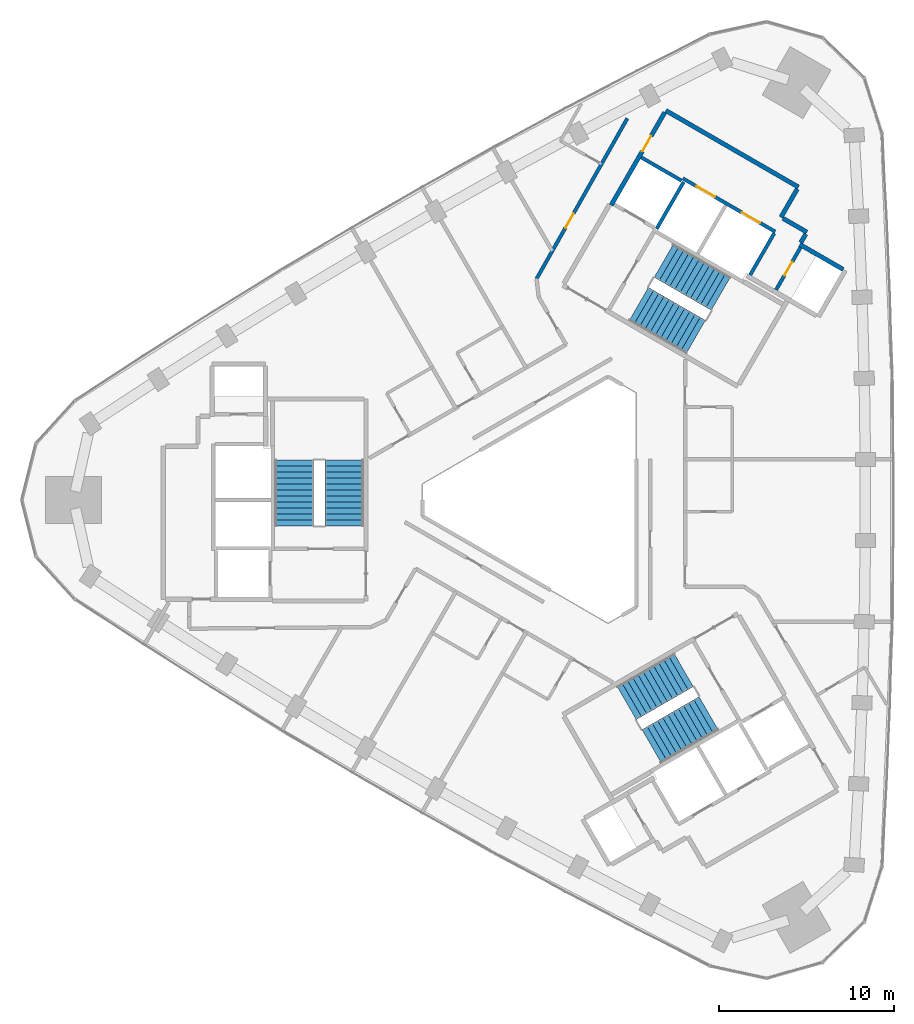
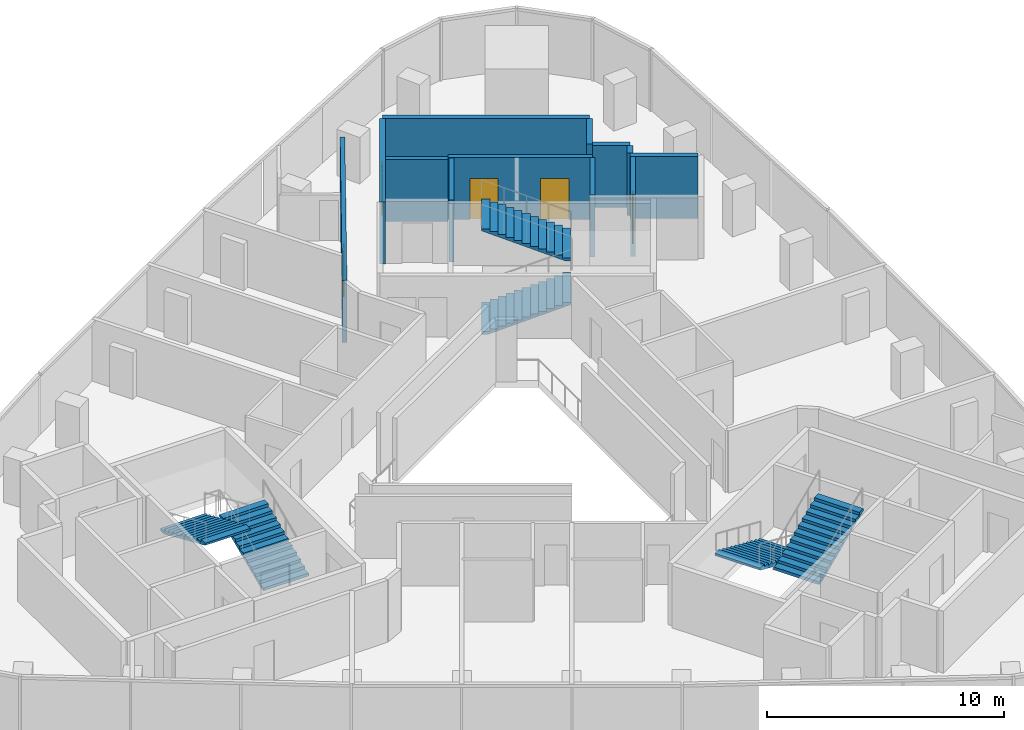
# One storey, part 10 of 11: 12 walls, 6 stair flights, 5 doors, 5 openings, 3 elements without a shape of their own.
"""IFC4 building model written with IfcOpenShell, lengths in metres."""

from ifc_helpers import new_model, si_unit, direction, frame, frame_2d, origin, place, context, subcontext, project, spatial, polyline, rectangle, outline, extrude, material, layer, layer_set, type_object, element, fill, aggregate, save


model = new_model("IFC4")

# Units and contexts
model_context = context("Model", 3, precision=1e-05, world=origin(), true_north=direction((0.0, 1.0)))
body_context = subcontext(model_context, "Body", "Model", "MODEL_VIEW")
ifc_project = project(units=[si_unit("LENGTHUNIT", "METRE"), si_unit("AREAUNIT", "SQUARE_METRE"), si_unit("VOLUMEUNIT", "CUBIC_METRE"), si_unit("PLANEANGLEUNIT", "RADIAN"), si_unit("MASSUNIT", "GRAM", prefix="KILO")], contexts=[model_context])

# Site, building, storey
site_placement = place(None, origin())
site = spatial("IfcSite", under=ifc_project, at=site_placement, CompositionType="ELEMENT")
building_placement = place(site_placement, origin())
building = spatial("IfcBuilding", under=site, at=building_placement, Name="Tamra Quay Hotel Tower", CompositionType="ELEMENT")
storey_placement = place(building_placement, frame((0.0, 0.0, 208.0)))
storey = spatial("IfcBuildingStorey", under=building, at=storey_placement, Name="L52", CompositionType="ELEMENT", Elevation=208.0)

# Wall, openings, doors
ifc_material_1 = material(Name="Concrete M70", Category="concrete")
ifc_layer_1 = layer(ifc_material_1, 0.199951171875)
ifc_layer_set_1 = layer_set([ifc_layer_1], Name="Concrete M70 core wall 200")
wall_type_1 = type_object("IfcWallType", Name="Concrete M70 core wall 200", PredefinedType="SHEAR", material=ifc_layer_set_1)
wall_1_placement = place(storey_placement, frame((12.552490234375, 15.341552734375, 0.0), z_axis=(0.0, 0.0, 1.0), x_axis=(-0.866030299012, 0.499991521122, 0.0)))
wall_1 = element("IfcWall", 1, at=wall_1_placement, inside=storey, type_object=wall_type_1, Name="CW2", PredefinedType="SHEAR", context=body_context, shape_type="SweptSolid", body=[
    extrude(rectangle(XDim=6.10009765625, YDim=0.199951171875, at=frame_2d((3.050048828125, 0.0))), origin(), (0.0, 0.0, 1.0), 3.199951171875),
])
opening_1_placement = place(wall_1_placement, frame((1.0, 0.0, 0.0)))
opening_1 = element("IfcOpeningElement", 2, at=opening_1_placement, cuts=wall_1, Name="Opening LD", PredefinedType="OPENING", context=body_context, shape_type="SweptSolid", body=[
    extrude(rectangle(XDim=1.199951171875, YDim=2.10009765625, at=frame_2d((0.60009765625, 1.050048828125))), frame((0.0, 0.10986328125, 0.0), z_axis=(0.0, -1.0, 0.0), x_axis=(1.0, 0.0, 0.0)), (0.0, 0.0, 1.0), 0.219970703125),
])
opening_2_placement = place(wall_1_placement, frame((3.982177734375, 0.0, 0.0)))
opening_2 = element("IfcOpeningElement", 3, at=opening_2_placement, cuts=wall_1, Name="Opening LD", PredefinedType="OPENING", context=body_context, shape_type="SweptSolid", body=[
    extrude(rectangle(XDim=1.199951171875, YDim=2.10009765625, at=frame_2d((0.60009765625, 1.050048828125))), frame((0.0, 0.10986328125, 0.0), z_axis=(0.0, -1.0, 0.0), x_axis=(1.0, 0.0, 0.0)), (0.0, 0.0, 1.0), 0.219970703125),
])
ifc_material_2 = material(Name="Landing door LD 1200 double door sliding")
door_type_1 = type_object("IfcDoorType", Name="Landing door LD 1200 double door sliding", OperationType="DOUBLE_DOOR_SLIDING", PredefinedType="DOOR", material=ifc_material_2)
door_1_placement = place(opening_1_placement, origin())
door_1 = element("IfcDoor", 4, at=door_1_placement, inside=storey, type_object=door_type_1, Name="LD", OperationType="DOUBLE_DOOR_SLIDING", OverallHeight=2.10009765625, OverallWidth=1.199951171875, PredefinedType="DOOR", context=body_context, shape_type="SweptSolid", body=[
    extrude(rectangle(XDim=1.199951171875, YDim=2.10009765625, at=frame_2d((0.60009765625, 1.050048828125))), frame((0.0, 0.02490234375, 0.0), z_axis=(0.0, -1.0, 0.0), x_axis=(1.0, 0.0, 0.0)), (0.0, 0.0, 1.0), 0.050048828125),
])
fill(opening_1, door_1)
door_2_placement = place(opening_2_placement, origin())
door_2 = element("IfcDoor", 5, at=door_2_placement, inside=storey, type_object=door_type_1, Name="LD", OperationType="DOUBLE_DOOR_SLIDING", OverallHeight=2.10009765625, OverallWidth=1.199951171875, PredefinedType="DOOR", context=body_context, shape_type="SweptSolid", body=[
    extrude(rectangle(XDim=1.199951171875, YDim=2.10009765625, at=frame_2d((0.60009765625, 1.050048828125))), frame((0.0, 0.02490234375, 0.0), z_axis=(0.0, -1.0, 0.0), x_axis=(1.0, 0.0, 0.0)), (0.0, 0.0, 1.0), 0.050048828125),
])
fill(opening_2, door_2)

# Wall, opening, door
wall_2_placement = place(storey_placement, frame((14.0078125, 14.442138671875, 0.0), z_axis=(0.0, 0.0, 1.0), x_axis=(-0.499986818241, -0.866033014143, 0.0)))
wall_2 = element("IfcWall", 6, at=wall_2_placement, inside=storey, type_object=wall_type_1, Name="CW2", PredefinedType="SHEAR", context=body_context, shape_type="SweptSolid", body=[
    extrude(rectangle(XDim=2.7978515625, YDim=0.199951171875, at=frame_2d((1.39892578125, 0.0))), origin(), (0.0, 0.0, 1.0), 3.199951171875),
])
opening_3_placement = place(wall_2_placement, frame((0.948974609375, 0.0, 0.0)))
opening_3 = element("IfcOpeningElement", 7, at=opening_3_placement, cuts=wall_2, Name="Opening D1", PredefinedType="OPENING", context=body_context, shape_type="SweptSolid", body=[
    extrude(rectangle(XDim=0.89990234375, YDim=2.10009765625, at=frame_2d((0.449951171875, 1.050048828125))), frame((0.0, 0.10986328125, 0.0), z_axis=(0.0, -1.0, 0.0), x_axis=(1.0, 0.0, 0.0)), (0.0, 0.0, 1.0), 0.219970703125),
])
ifc_material_3 = material(Name="Core door D1 900x2100 LH")
door_type_2 = type_object("IfcDoorType", Name="Core door D1 900x2100 LH", OperationType="NOTDEFINED", PredefinedType="DOOR", material=ifc_material_3)
door_3_placement = place(opening_3_placement, origin())
door_3 = element("IfcDoor", 8, at=door_3_placement, inside=storey, type_object=door_type_2, Name="D1", OperationType="SINGLE_SWING_LEFT", OverallHeight=2.10009765625, OverallWidth=0.89990234375, PredefinedType="DOOR", context=body_context, shape_type="SweptSolid", body=[
    extrude(rectangle(XDim=0.89990234375, YDim=2.10009765625, at=frame_2d((0.449951171875, 1.050048828125))), frame((0.0, 0.02490234375, 0.0), z_axis=(0.0, -1.0, 0.0), x_axis=(1.0, 0.0, 0.0)), (0.0, 0.0, 1.0), 0.050048828125),
])
fill(opening_3, door_3)

# Walls
wall_3_placement = place(storey_placement, frame((12.50244140625, 15.2548828125, 0.0), z_axis=(0.0, 0.0, 1.0), x_axis=(-0.499965018551, -0.866045599391, 0.0)))
element("IfcWall", 9, at=wall_3_placement, inside=storey, type_object=wall_type_1, Name="CW2", PredefinedType="SHEAR", context=body_context, shape_type="SweptSolid", body=[
    extrude(rectangle(XDim=2.759033203125, YDim=0.199951171875, at=frame_2d((1.37939453125, 0.0))), origin(), (0.0, 0.0, 1.0), 3.199951171875),
])
wall_4_placement = place(storey_placement, frame((7.324462890625, 18.1865234375, 0.0), z_axis=(0.0, 0.0, 1.0), x_axis=(-0.499967891604, -0.866043940782, 0.0)))
element("IfcWall", 10, at=wall_4_placement, inside=storey, type_object=wall_type_1, Name="CW2", PredefinedType="SHEAR", context=body_context, shape_type="SweptSolid", body=[
    extrude(rectangle(XDim=3.099853515625, YDim=0.199951171875, at=frame_2d((1.5498046875, 0.0))), origin(), (0.0, 0.0, 1.0), 3.199951171875),
])
wall_5_placement = place(storey_placement, frame((7.1962890625, 18.260498046875, 0.0), z_axis=(0.0, 0.0, 1.0), x_axis=(-0.866018407898, 0.500012117035, 0.0)))
element("IfcWall", 11, at=wall_5_placement, inside=storey, type_object=wall_type_1, Name="CW2", PredefinedType="SHEAR", context=body_context, shape_type="SweptSolid", body=[
    extrude(rectangle(XDim=2.65087890625, YDim=0.199951171875, at=frame_2d((1.325439453125, 0.0))), origin(), (0.0, 0.0, 1.0), 3.199951171875),
])
ifc_layer_2 = layer(ifc_material_1, 0.25)
ifc_layer_set_2 = layer_set([ifc_layer_2], Name="Concrete M70 core wall 250")
wall_type_2 = type_object("IfcWallType", Name="Concrete M70 core wall 250", PredefinedType="SHEAR", material=ifc_layer_set_2)
wall_6_placement = place(storey_placement, frame((6.303955078125, 22.268798828125, 0.0), z_axis=(0.0, 0.0, 1.0), x_axis=(0.866022959057, -0.500004234368, 0.0)))
element("IfcWall", 12, at=wall_6_placement, inside=storey, type_object=wall_type_2, Name="CW1", PredefinedType="SHEAR", context=body_context, shape_type="SweptSolid", body=[
    extrude(rectangle(XDim=8.75, YDim=0.25, at=frame_2d((4.375, 0.0))), origin(), (0.0, 0.0, 1.0), 3.199951171875),
])

# Wall, opening, door
wall_7_placement = place(storey_placement, frame((3.178955078125, 16.856201171875, 0.0), z_axis=(0.0, 0.0, 1.0), x_axis=(0.500001955336, 0.866024274868, 0.0)))
wall_7 = element("IfcWall", 13, at=wall_7_placement, inside=storey, type_object=wall_type_2, Name="CW1", PredefinedType="SHEAR", context=body_context, shape_type="SweptSolid", body=[
    extrude(rectangle(XDim=6.12451171875, YDim=0.25, at=frame_2d((3.062255859375, 0.0))), origin(), (0.0, 0.0, 1.0), 3.199951171875),
])
opening_4_placement = place(wall_7_placement, frame((3.562744140625, 0.0, 0.0)))
opening_4 = element("IfcOpeningElement", 14, at=opening_4_placement, cuts=wall_7, Name="Opening FD3", PredefinedType="OPENING", context=body_context, shape_type="SweptSolid", body=[
    extrude(rectangle(XDim=1.0, YDim=2.10009765625, at=frame_2d((0.5, 1.050048828125))), frame((0.0, 0.135009765625, 0.0), z_axis=(0.0, -1.0, 0.0), x_axis=(1.0, 0.0, 0.0)), (0.0, 0.0, 1.0), 0.27001953125),
])
ifc_material_4 = material(Name="Core door FD3 1000x2100 LH")
door_type_3 = type_object("IfcDoorType", Name="Core door FD3 1000x2100 LH", OperationType="NOTDEFINED", PredefinedType="DOOR", material=ifc_material_4)
door_4_placement = place(opening_4_placement, origin())
door_4 = element("IfcDoor", 15, at=door_4_placement, inside=storey, type_object=door_type_3, Name="FD3", OperationType="SINGLE_SWING_LEFT", OverallHeight=2.10009765625, OverallWidth=1.0, PredefinedType="DOOR", context=body_context, shape_type="SweptSolid", body=[
    extrude(rectangle(XDim=1.0, YDim=2.10009765625, at=frame_2d((0.5, 1.050048828125))), frame((0.0, 0.02490234375, 0.0), z_axis=(0.0, -1.0, 0.0), x_axis=(1.0, 0.0, 0.0)), (0.0, 0.0, 1.0), 0.050048828125),
])
fill(opening_4, door_4)

# Walls
wall_8_placement = place(storey_placement, frame((13.962646484375, 14.61376953125, 0.0), z_axis=(0.0, 0.0, 1.0), x_axis=(0.866042235819, -0.499970844928, 0.0)))
element("IfcWall", 16, at=wall_8_placement, inside=storey, type_object=wall_type_2, Name="CW1", PredefinedType="SHEAR", context=body_context, shape_type="SweptSolid", body=[
    extrude(rectangle(XDim=2.864501953125, YDim=0.25, at=frame_2d((1.43212890625, 0.0))), origin(), (0.0, 0.0, 1.0), 3.199951171875),
])
wall_9_placement = place(storey_placement, frame((13.819091796875, 17.78515625, 0.0), z_axis=(0.0, 0.0, 1.0), x_axis=(-0.500039802285, -0.866002422705, 0.0)))
element("IfcWall", 17, at=wall_9_placement, inside=storey, type_object=wall_type_2, Name="CW1", PredefinedType="SHEAR", context=body_context, shape_type="SweptSolid", body=[
    extrude(rectangle(XDim=1.864501953125, YDim=0.25, at=frame_2d((0.93212890625, 0.0))), origin(), (0.0, 0.0, 1.0), 3.199951171875),
])
wall_10_placement = place(storey_placement, frame((12.995361328125, 16.107666015625, 0.0), z_axis=(0.0, 0.0, 1.0), x_axis=(0.866044474677, -0.49996696679, 0.0)))
element("IfcWall", 18, at=wall_10_placement, inside=storey, type_object=wall_type_2, Name="CW1", PredefinedType="SHEAR", context=body_context, shape_type="SweptSolid", body=[
    extrude(rectangle(XDim=1.58447265625, YDim=0.25, at=frame_2d((0.792236328125, 0.0))), origin(), (0.0, 0.0, 1.0), 3.199951171875),
])
wall_11_placement = place(storey_placement, frame((14.304931640625, 15.206787109375, 0.0), z_axis=(0.0, 0.0, 1.0), x_axis=(-0.499848422343, -0.866112899501, 0.0)))
element("IfcWall", 19, at=wall_11_placement, inside=storey, type_object=wall_type_2, Name="CW1", PredefinedType="SHEAR", context=body_context, shape_type="SweptSolid", body=[
    extrude(rectangle(XDim=0.559326171875, YDim=0.25, at=frame_2d((0.27978515625, 0.0))), origin(), (0.0, 0.0, 1.0), 3.199951171875),
])

# Wall, opening, door
ifc_material_5 = material(Name="Partition corridor wall")
ifc_layer_3 = layer(ifc_material_5, 0.199951171875)
ifc_layer_set_3 = layer_set([ifc_layer_3], Name="Partition corridor wall")
wall_type_3 = type_object("IfcWallType", Name="Partition corridor wall", PredefinedType="PARTITIONING", material=ifc_layer_set_3)
wall_12_placement = place(storey_placement, frame((-1.085693359375, 12.650390625, 0.0), z_axis=(0.0, 0.0, 1.0), x_axis=(0.492552173528, 0.87028291742, 0.0)))
wall_12 = element("IfcWall", 20, at=wall_12_placement, inside=storey, type_object=wall_type_3, Name="W-C", PredefinedType="PARTITIONING", context=body_context, shape_type="SweptSolid", body=[
    extrude(rectangle(XDim=10.531494140625, YDim=0.199951171875, at=frame_2d((5.265625, 0.0))), origin(), (0.0, 0.0, 1.0), 3.199951171875),
])
opening_5_placement = place(wall_12_placement, frame((3.341796875, 0.0, 0.0)))
opening_5 = element("IfcOpeningElement", 21, at=opening_5_placement, cuts=wall_12, Name="Opening L52-D001", PredefinedType="OPENING", context=body_context, shape_type="SweptSolid", body=[
    extrude(rectangle(XDim=0.949951171875, YDim=2.10009765625, at=frame_2d((0.47509765625, 1.050048828125))), frame((0.0, 0.10986328125, 0.0), z_axis=(0.0, -1.0, 0.0), x_axis=(1.0, 0.0, 0.0)), (0.0, 0.0, 1.0), 0.219970703125),
])
ifc_material_6 = material(Name="Door guest room 950x2100")
door_type_4 = type_object("IfcDoorType", Name="Door guest room 950x2100", OperationType="NOTDEFINED", PredefinedType="DOOR", material=ifc_material_6)
door_5_placement = place(opening_5_placement, origin())
door_5 = element("IfcDoor", 22, at=door_5_placement, inside=storey, type_object=door_type_4, Name="L52-D001", OperationType="SINGLE_SWING_LEFT", OverallHeight=2.10009765625, OverallWidth=0.949951171875, PredefinedType="DOOR", context=body_context, shape_type="SweptSolid", body=[
    extrude(rectangle(XDim=0.949951171875, YDim=2.10009765625, at=frame_2d((0.47509765625, 1.050048828125))), frame((0.0, 0.02490234375, 0.0), z_axis=(0.0, -1.0, 0.0), x_axis=(1.0, 0.0, 0.0)), (0.0, 0.0, 1.0), 0.050048828125),
])
fill(opening_5, door_5)

# Stair, stair flights
ifc_material_7 = material(Name="Exit stair 2200 24 risers 150.0 going 342")
stair_type = type_object("IfcStairType", Name="Exit stair 2200 24 risers 150.0 going 342", PredefinedType="HALF_TURN_STAIR", material=ifc_material_7)
stair_1_placement = place(storey_placement, origin())
stair_1 = element("IfcStair", 23, at=stair_1_placement, inside=storey, type_object=stair_type, Name="L52 Exit stair ST3", PredefinedType="HALF_TURN_STAIR")
ifc_material_8 = material(Name="Exit stair flight 2200 12 risers 150.0")
stair_flight_type = type_object("IfcStairFlightType", Name="Exit stair flight 2200 12 risers 150.0", PredefinedType="STRAIGHT", material=ifc_material_8)
stair_flight_1_placement = place(storey_placement, frame((-12.082275390625, -1.47998046875, 0.0), z_axis=(0.0, 0.0, 1.0), x_axis=(0.0, 1.0, 0.0)))
stair_flight_1 = element("IfcStairFlight", 24, at=stair_flight_1_placement, type_object=stair_flight_type, Name="ST3 flight 1", NumberOfRisers=12, NumberOfTreads=11, PredefinedType="STRAIGHT", RiserHeight=0.15, TreadLength=0.342, context=body_context, shape_type="SweptSolid", body=[
    extrude(outline(polyline([(0.0, 0.0), (0.0, 0.14990234375), (0.342041015625, 0.14990234375), (0.342041015625, 0.300048828125), (0.68408203125, 0.300048828125), (0.68408203125, 0.449951171875), (1.02587890625, 0.449951171875), (1.02587890625, 0.60009765625), (1.367919921875, 0.60009765625), (1.367919921875, 0.75), (1.7099609375, 0.75), (1.7099609375, 0.89990234375), (2.052001953125, 0.89990234375), (2.052001953125, 1.050048828125), (2.39404296875, 1.050048828125), (2.39404296875, 1.199951171875), (2.736083984375, 1.199951171875), (2.736083984375, 1.35009765625), (3.077880859375, 1.35009765625), (3.077880859375, 1.5), (3.419921875, 1.5), (3.419921875, 1.64990234375), (3.761962890625, 1.64990234375), (3.761962890625, 1.800048828125), (3.761962890625, 1.540771484375), (0.249267578125, 0.0), (0.0, 0.0)])), frame((0.0, 1.10009765625, 0.0), z_axis=(0.0, -1.0, 0.0), x_axis=(1.0, 0.0, 0.0)), (0.0, 0.0, 1.0), 2.199951171875),
])
stair_flight_2_placement = place(storey_placement, frame((-14.94140625, 2.281982421875, 1.800048828125), z_axis=(0.0, 0.0, 1.0), x_axis=(0.0, -1.0, 0.0)))
stair_flight_2 = element("IfcStairFlight", 25, at=stair_flight_2_placement, type_object=stair_flight_type, Name="ST3 flight 2", NumberOfRisers=12, NumberOfTreads=11, PredefinedType="STRAIGHT", RiserHeight=0.15, TreadLength=0.342, context=body_context, shape_type="SweptSolid", body=[
    extrude(outline(polyline([(0.0, 0.0), (0.0, 0.14990234375), (0.342041015625, 0.14990234375), (0.342041015625, 0.300048828125), (0.68408203125, 0.300048828125), (0.68408203125, 0.449951171875), (1.02587890625, 0.449951171875), (1.02587890625, 0.60009765625), (1.367919921875, 0.60009765625), (1.367919921875, 0.75), (1.7099609375, 0.75), (1.7099609375, 0.89990234375), (2.052001953125, 0.89990234375), (2.052001953125, 1.050048828125), (2.39404296875, 1.050048828125), (2.39404296875, 1.199951171875), (2.736083984375, 1.199951171875), (2.736083984375, 1.35009765625), (3.077880859375, 1.35009765625), (3.077880859375, 1.5), (3.419921875, 1.5), (3.419921875, 1.64990234375), (3.761962890625, 1.64990234375), (3.761962890625, 1.800048828125), (3.761962890625, 1.540771484375), (0.249267578125, 0.0), (0.0, 0.0)])), frame((0.0, 1.10009765625, 0.0), z_axis=(0.0, -1.0, 0.0), x_axis=(1.0, 0.0, 0.0)), (0.0, 0.0, 1.0), 2.199951171875),
])
aggregate(stair_1, [stair_flight_1, stair_flight_2])

stair_2_placement = place(storey_placement, origin())
stair_2 = element("IfcStair", 26, at=stair_2_placement, inside=storey, type_object=stair_type, Name="L52 Exit stair ST1", PredefinedType="HALF_TURN_STAIR")
stair_flight_3_placement = place(storey_placement, frame((4.75927734375, 11.20361328125, 0.0), z_axis=(0.0, 0.0, 1.0), x_axis=(0.866025403784, -0.5, 0.0)))
stair_flight_3 = element("IfcStairFlight", 27, at=stair_flight_3_placement, type_object=stair_flight_type, Name="ST1 flight 1", NumberOfRisers=12, NumberOfTreads=11, PredefinedType="STRAIGHT", RiserHeight=0.15, TreadLength=0.342, context=body_context, shape_type="SweptSolid", body=[
    extrude(outline(polyline([(0.0, 0.0), (0.0, 0.14990234375), (0.342041015625, 0.14990234375), (0.342041015625, 0.300048828125), (0.68408203125, 0.300048828125), (0.68408203125, 0.449951171875), (1.02587890625, 0.449951171875), (1.02587890625, 0.60009765625), (1.367919921875, 0.60009765625), (1.367919921875, 0.75), (1.7099609375, 0.75), (1.7099609375, 0.89990234375), (2.052001953125, 0.89990234375), (2.052001953125, 1.050048828125), (2.39404296875, 1.050048828125), (2.39404296875, 1.199951171875), (2.736083984375, 1.199951171875), (2.736083984375, 1.35009765625), (3.077880859375, 1.35009765625), (3.077880859375, 1.5), (3.419921875, 1.5), (3.419921875, 1.64990234375), (3.761962890625, 1.64990234375), (3.761962890625, 1.800048828125), (3.761962890625, 1.540771484375), (0.249267578125, 0.0), (0.0, 0.0)])), frame((0.0, 1.10009765625, 0.0), z_axis=(0.0, -1.0, 0.0), x_axis=(1.0, 0.0, 0.0)), (0.0, 0.0, 1.0), 2.199951171875),
])
stair_flight_4_placement = place(storey_placement, frame((9.44677734375, 11.798583984375, 1.800048828125), z_axis=(0.0, 0.0, 1.0), x_axis=(-0.866025403784, 0.5, 0.0)))
stair_flight_4 = element("IfcStairFlight", 28, at=stair_flight_4_placement, type_object=stair_flight_type, Name="ST1 flight 2", NumberOfRisers=12, NumberOfTreads=11, PredefinedType="STRAIGHT", RiserHeight=0.15, TreadLength=0.342, context=body_context, shape_type="SweptSolid", body=[
    extrude(outline(polyline([(0.0, 0.0), (0.0, 0.14990234375), (0.342041015625, 0.14990234375), (0.342041015625, 0.300048828125), (0.68408203125, 0.300048828125), (0.68408203125, 0.449951171875), (1.02587890625, 0.449951171875), (1.02587890625, 0.60009765625), (1.367919921875, 0.60009765625), (1.367919921875, 0.75), (1.7099609375, 0.75), (1.7099609375, 0.89990234375), (2.052001953125, 0.89990234375), (2.052001953125, 1.050048828125), (2.39404296875, 1.050048828125), (2.39404296875, 1.199951171875), (2.736083984375, 1.199951171875), (2.736083984375, 1.35009765625), (3.077880859375, 1.35009765625), (3.077880859375, 1.5), (3.419921875, 1.5), (3.419921875, 1.64990234375), (3.761962890625, 1.64990234375), (3.761962890625, 1.800048828125), (3.761962890625, 1.540771484375), (0.249267578125, 0.0), (0.0, 0.0)])), frame((0.0, 1.10009765625, 0.0), z_axis=(0.0, -1.0, 0.0), x_axis=(1.0, 0.0, 0.0)), (0.0, 0.0, 1.0), 2.199951171875),
])
aggregate(stair_2, [stair_flight_3, stair_flight_4])

stair_3_placement = place(storey_placement, origin())
stair_3 = element("IfcStair", 29, at=stair_3_placement, inside=storey, type_object=stair_type, Name="L52 Exit stair ST2", PredefinedType="HALF_TURN_STAIR")
stair_flight_5_placement = place(storey_placement, frame((7.322998046875, -9.7236328125, 0.0), z_axis=(0.0, 0.0, 1.0), x_axis=(-0.866025403784, -0.5, 0.0)))
stair_flight_5 = element("IfcStairFlight", 30, at=stair_flight_5_placement, type_object=stair_flight_type, Name="ST2 flight 1", NumberOfRisers=12, NumberOfTreads=11, PredefinedType="STRAIGHT", RiserHeight=0.15, TreadLength=0.342, context=body_context, shape_type="SweptSolid", body=[
    extrude(outline(polyline([(0.0, 0.0), (0.0, 0.14990234375), (0.342041015625, 0.14990234375), (0.342041015625, 0.300048828125), (0.68408203125, 0.300048828125), (0.68408203125, 0.449951171875), (1.02587890625, 0.449951171875), (1.02587890625, 0.60009765625), (1.367919921875, 0.60009765625), (1.367919921875, 0.75), (1.7099609375, 0.75), (1.7099609375, 0.89990234375), (2.052001953125, 0.89990234375), (2.052001953125, 1.050048828125), (2.39404296875, 1.050048828125), (2.39404296875, 1.199951171875), (2.736083984375, 1.199951171875), (2.736083984375, 1.35009765625), (3.077880859375, 1.35009765625), (3.077880859375, 1.5), (3.419921875, 1.5), (3.419921875, 1.64990234375), (3.761962890625, 1.64990234375), (3.761962890625, 1.800048828125), (3.761962890625, 1.540771484375), (0.249267578125, 0.0), (0.0, 0.0)])), frame((0.0, 1.10009765625, 0.0), z_axis=(0.0, -1.0, 0.0), x_axis=(1.0, 0.0, 0.0)), (0.0, 0.0, 1.0), 2.199951171875),
])
stair_flight_6_placement = place(storey_placement, frame((5.494384765625, -14.08056640625, 1.800048828125), z_axis=(0.0, 0.0, 1.0), x_axis=(0.866025403784, 0.5, 0.0)))
stair_flight_6 = element("IfcStairFlight", 31, at=stair_flight_6_placement, type_object=stair_flight_type, Name="ST2 flight 2", NumberOfRisers=12, NumberOfTreads=11, PredefinedType="STRAIGHT", RiserHeight=0.15, TreadLength=0.342, context=body_context, shape_type="SweptSolid", body=[
    extrude(outline(polyline([(0.0, 0.0), (0.0, 0.14990234375), (0.342041015625, 0.14990234375), (0.342041015625, 0.300048828125), (0.68408203125, 0.300048828125), (0.68408203125, 0.449951171875), (1.02587890625, 0.449951171875), (1.02587890625, 0.60009765625), (1.367919921875, 0.60009765625), (1.367919921875, 0.75), (1.7099609375, 0.75), (1.7099609375, 0.89990234375), (2.052001953125, 0.89990234375), (2.052001953125, 1.050048828125), (2.39404296875, 1.050048828125), (2.39404296875, 1.199951171875), (2.736083984375, 1.199951171875), (2.736083984375, 1.35009765625), (3.077880859375, 1.35009765625), (3.077880859375, 1.5), (3.419921875, 1.5), (3.419921875, 1.64990234375), (3.761962890625, 1.64990234375), (3.761962890625, 1.800048828125), (3.761962890625, 1.540771484375), (0.249267578125, 0.0), (0.0, 0.0)])), frame((0.0, 1.10009765625, 0.0), z_axis=(0.0, -1.0, 0.0), x_axis=(1.0, 0.0, 0.0)), (0.0, 0.0, 1.0), 2.199951171875),
])
aggregate(stair_3, [stair_flight_5, stair_flight_6])

save(model, "model.ifc")
